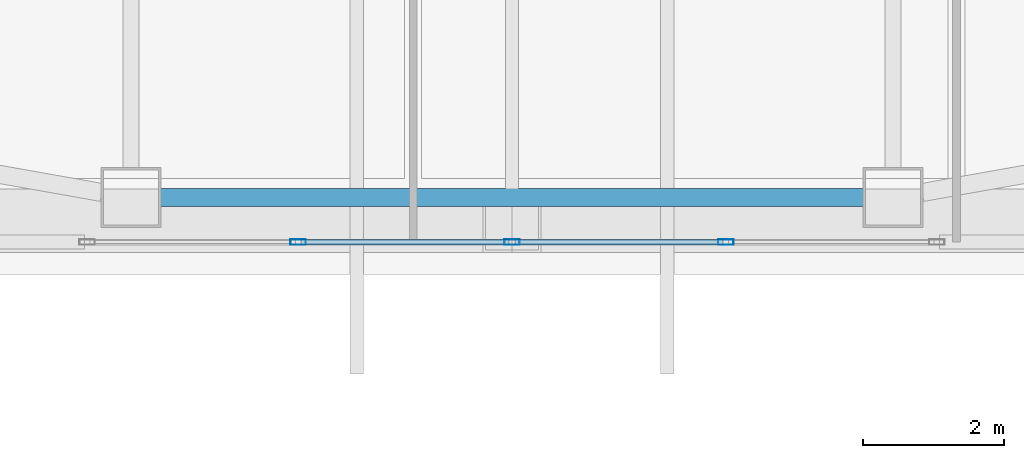
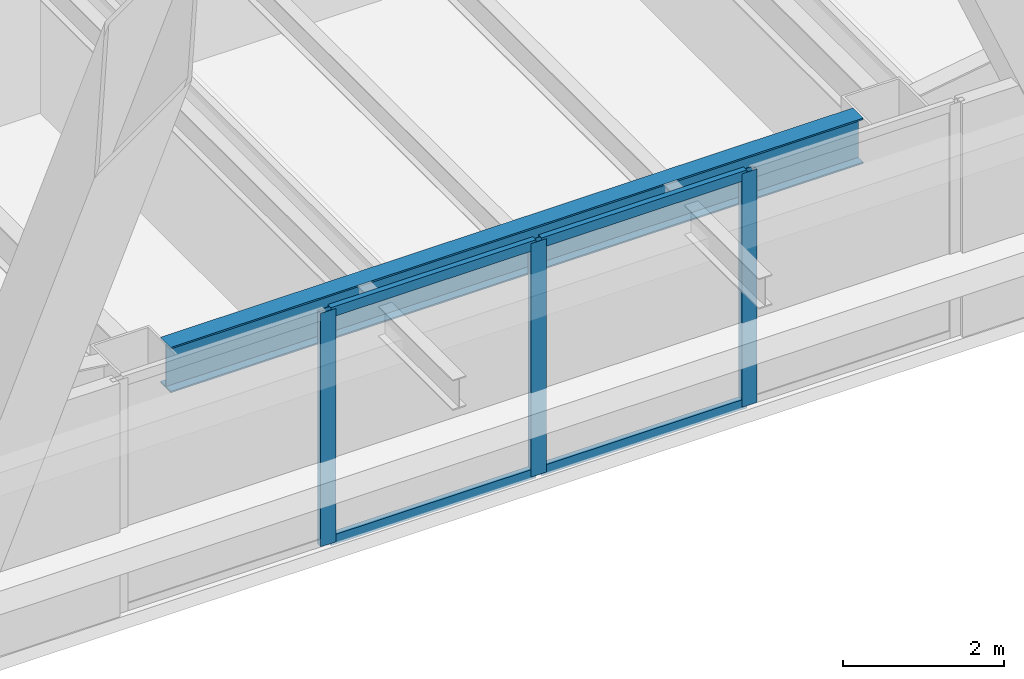
# One storey, part 5 of 54: 7 members, 1 beam, 1 element without a shape of its own.
"""IFC4 building model written with IfcOpenShell, lengths in metres."""

from ifc_helpers import new_model, si_unit, direction, frame, origin, origin_2d, place, context, subcontext, project, spatial, hollow_rectangle, i_section, extrude, material, material_profile, profile_set, type_object, element, aggregate, save


model = new_model("IFC4")

# Units and contexts
model_context = context("Model", 3, precision=1e-05, world=origin(), true_north=direction((0.0, 1.0)))
body_context = subcontext(model_context, "Body", "Model", "MODEL_VIEW")
ifc_project = project(units=[si_unit("LENGTHUNIT", "METRE"), si_unit("AREAUNIT", "SQUARE_METRE"), si_unit("VOLUMEUNIT", "CUBIC_METRE"), si_unit("PLANEANGLEUNIT", "RADIAN"), si_unit("MASSUNIT", "GRAM", prefix="KILO")], contexts=[model_context])

# Site, building, storey
site_placement = place(None, origin())
site = spatial("IfcSite", under=ifc_project, at=site_placement, CompositionType="ELEMENT")
building_placement = place(site_placement, origin())
building = spatial("IfcBuilding", under=site, at=building_placement, Name="Tashvorn Skyway Center", CompositionType="ELEMENT")
storey_placement = place(building_placement, frame((0.0, 0.0, 88.5)))
storey = spatial("IfcBuildingStorey", under=building, at=storey_placement, Name="L23", CompositionType="ELEMENT", Elevation=88.5)

# Beam
ifc_material_1 = material(Name="Steel ASTM A992 Grade 50", Category="steel")
ifc_material_profile_1 = material_profile(ifc_material_1, i_section(OverallWidth=0.256103515625, OverallDepth=0.693115234375, WebThickness=0.014404296875, FlangeThickness=0.023681640625, at=origin_2d()), Name="W27X114")
ifc_profile_set_1 = profile_set([ifc_material_profile_1], Name="Steel ASTM A992 Grade 50")
beam_type = type_object("IfcBeamType", Name="BM-SPANDREL-W27X114", PredefinedType="SPANDREL", material=ifc_profile_set_1)
beam_placement = place(storey_placement, frame((37.02001953125, 11.64990234375, 3.00341796875), z_axis=(1.0, 0.0, 0.0), x_axis=(0.0, 1.0, 0.0)))
element("IfcBeam", 1, at=beam_placement, inside=storey, type_object=beam_type, Name="Tower 1 L23 Spandrel Beam 02", PredefinedType="SPANDREL", context=body_context, shape_type="SweptSolid", body=[
    extrude(i_section(OverallWidth=0.256103515625, OverallDepth=0.693115234375, WebThickness=0.014404296875, FlangeThickness=0.023681640625, at=origin_2d()), origin(), (0.0, 0.0, 1.0), 9.9599609375),
])

# Curtain wall, members
ifc_material_2 = material(Name="Thermally broken bronze-anodized aluminium 6063-T6", Category="aluminium")
curtain_wall_type = type_object("IfcCurtainWallType", Name="CW-CW-Z2", PredefinedType="NOTDEFINED", material=ifc_material_2)
curtain_wall_placement = place(storey_placement, origin())
curtain_wall = element("IfcCurtainWall", 2, at=curtain_wall_placement, inside=storey, type_object=curtain_wall_type, Name="Tower 1 L23 South Unitised Curtain Wall Glazing Group 2", PredefinedType="NOTDEFINED")
ifc_material_profile_2 = material_profile(ifc_material_2, hollow_rectangle(XDim=0.080078125, YDim=0.219970703125, WallThickness=0.0048828125, at=origin_2d()), Name="ALU-MULL-80x220")
ifc_profile_set_2 = profile_set([ifc_material_profile_2], Name="Thermally broken bronze-anodized aluminium 6063-T6")
member_type_1 = type_object("IfcMemberType", Name="CWM-CW-Z2", PredefinedType="MULLION", material=ifc_profile_set_2)
member_1_placement = place(storey_placement, frame((45.030029296875, 11.02001953125, 0.0), z_axis=(0.0, 0.0, 1.0), x_axis=(0.0, -1.0, 0.0)))
member_1 = element("IfcMember", 3, at=member_1_placement, type_object=member_type_1, Name="CW-Z2 mullion 2", PredefinedType="MULLION", context=body_context, shape_type="SweptSolid", body=[
    extrude(hollow_rectangle(XDim=0.080078125, YDim=0.219970703125, WallThickness=0.0048828125, at=origin_2d()), origin(), (0.0, 0.0, 1.0), 3.550048828125),
])
member_2_placement = place(storey_placement, frame((42.0, 11.02001953125, 0.0), z_axis=(0.0, 0.0, 1.0), x_axis=(0.0, -1.0, 0.0)))
member_2 = element("IfcMember", 4, at=member_2_placement, type_object=member_type_1, Name="CW-Z2 mullion 3", PredefinedType="MULLION", context=body_context, shape_type="SweptSolid", body=[
    extrude(hollow_rectangle(XDim=0.080078125, YDim=0.219970703125, WallThickness=0.0048828125, at=origin_2d()), origin(), (0.0, 0.0, 1.0), 3.550048828125),
])
member_3_placement = place(storey_placement, frame((38.969970703125, 11.02001953125, 0.0), z_axis=(0.0, 0.0, 1.0), x_axis=(0.0, -1.0, 0.0)))
member_3 = element("IfcMember", 5, at=member_3_placement, type_object=member_type_1, Name="CW-Z2 mullion 4", PredefinedType="MULLION", context=body_context, shape_type="SweptSolid", body=[
    extrude(hollow_rectangle(XDim=0.080078125, YDim=0.219970703125, WallThickness=0.0048828125, at=origin_2d()), origin(), (0.0, 0.0, 1.0), 3.550048828125),
])
ifc_material_profile_3 = material_profile(ifc_material_2, hollow_rectangle(XDim=0.080078125, YDim=0.14990234375, WallThickness=0.00439453125, at=origin_2d()), Name="ALU-TRAN-80x150")
ifc_profile_set_3 = profile_set([ifc_material_profile_3], Name="Thermally broken bronze-anodized aluminium 6063-T6")
member_type_2 = type_object("IfcMemberType", Name="CWT-CW-Z2", PredefinedType="USERDEFINED", material=ifc_profile_set_3)
member_4_placement = place(storey_placement, frame((44.989990234375, 11.02001953125, 0.0400390625), z_axis=(-1.0, 0.0, 0.0), x_axis=(0.0, -1.0, 0.0)))
member_4 = element("IfcMember", 6, at=member_4_placement, type_object=member_type_2, Name="CW-Z2 transom 2.1", ObjectType="TRANSOM", PredefinedType="USERDEFINED", context=body_context, shape_type="SweptSolid", body=[
    extrude(hollow_rectangle(XDim=0.080078125, YDim=0.14990234375, WallThickness=0.00439453125, at=origin_2d()), origin(), (0.0, 0.0, 1.0), 2.949951171875),
])
member_5_placement = place(storey_placement, frame((44.989990234375, 11.02001953125, 3.510009765625), z_axis=(-1.0, 0.0, 0.0), x_axis=(0.0, -1.0, 0.0)))
member_5 = element("IfcMember", 7, at=member_5_placement, type_object=member_type_2, Name="CW-Z2 transom 2.2", ObjectType="TRANSOM", PredefinedType="USERDEFINED", context=body_context, shape_type="SweptSolid", body=[
    extrude(hollow_rectangle(XDim=0.080078125, YDim=0.14990234375, WallThickness=0.00439453125, at=origin_2d()), origin(), (0.0, 0.0, 1.0), 2.949951171875),
])
member_6_placement = place(storey_placement, frame((41.9599609375, 11.02001953125, 0.0400390625), z_axis=(-1.0, 0.0, 0.0), x_axis=(0.0, -1.0, 0.0)))
member_6 = element("IfcMember", 8, at=member_6_placement, type_object=member_type_2, Name="CW-Z2 transom 3.1", ObjectType="TRANSOM", PredefinedType="USERDEFINED", context=body_context, shape_type="SweptSolid", body=[
    extrude(hollow_rectangle(XDim=0.080078125, YDim=0.14990234375, WallThickness=0.00439453125, at=origin_2d()), origin(), (0.0, 0.0, 1.0), 2.949951171875),
])
member_7_placement = place(storey_placement, frame((41.9599609375, 11.02001953125, 3.510009765625), z_axis=(-1.0, 0.0, 0.0), x_axis=(0.0, -1.0, 0.0)))
member_7 = element("IfcMember", 9, at=member_7_placement, type_object=member_type_2, Name="CW-Z2 transom 3.2", ObjectType="TRANSOM", PredefinedType="USERDEFINED", context=body_context, shape_type="SweptSolid", body=[
    extrude(hollow_rectangle(XDim=0.080078125, YDim=0.14990234375, WallThickness=0.00439453125, at=origin_2d()), origin(), (0.0, 0.0, 1.0), 2.949951171875),
])
aggregate(curtain_wall, [member_1, member_2, member_3, member_4, member_5, member_6, member_7])

save(model, "model.ifc")
